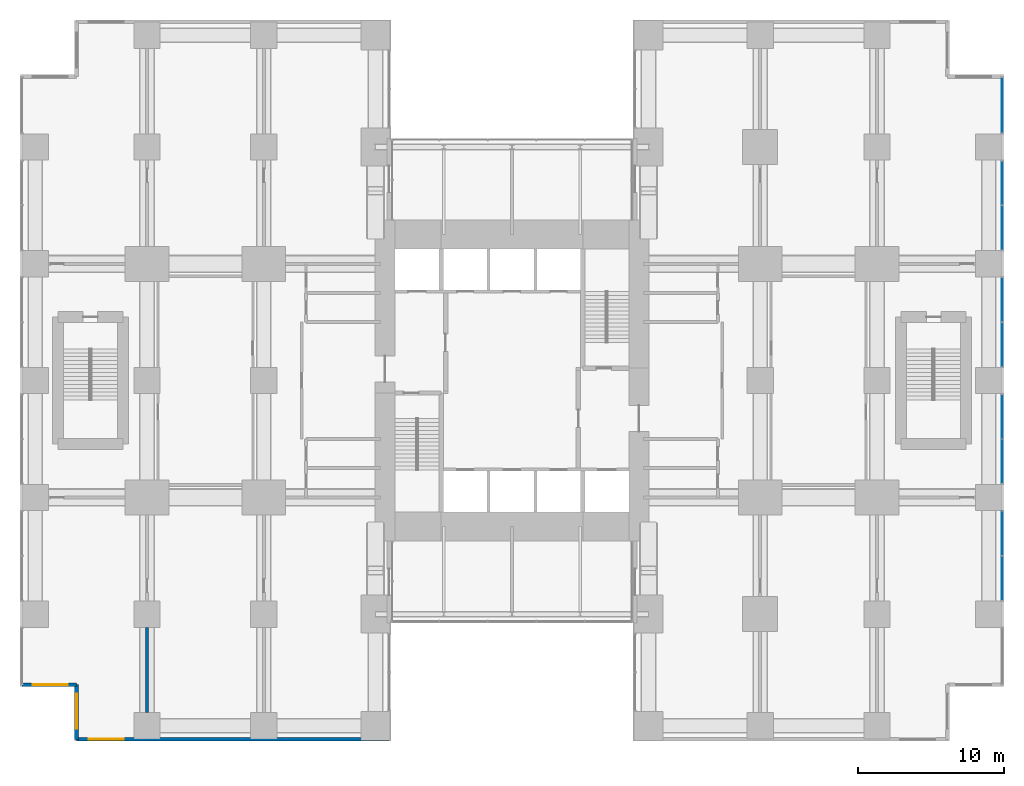
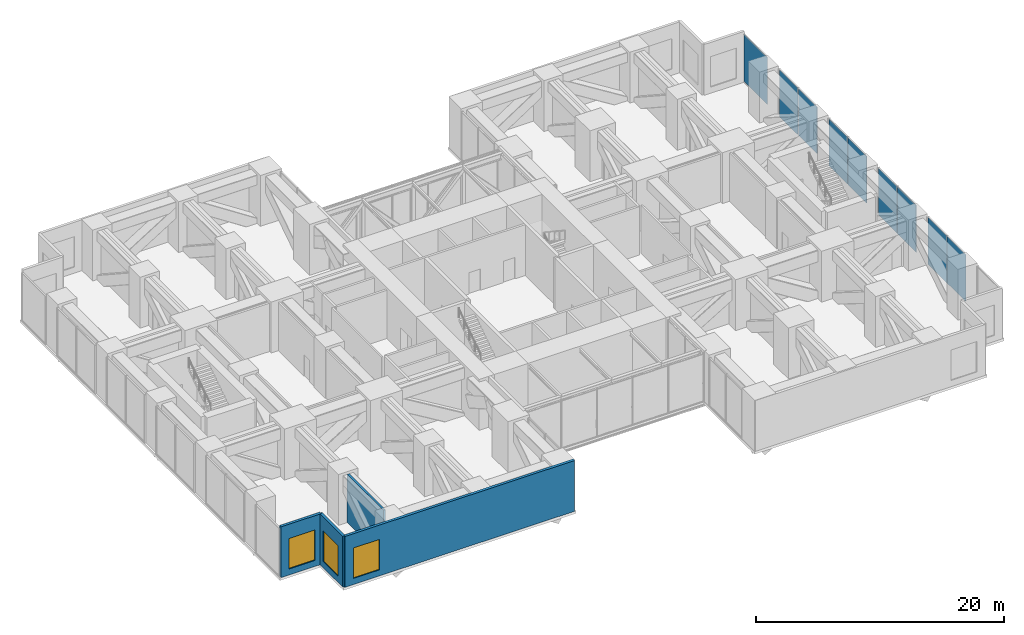
# One storey, part 14 of 19: 9 plates, 4 walls, 3 windows, 3 openings, 5 elements without a shape of their own.
"""IFC4 building model written with IfcOpenShell, lengths in metres."""

from ifc_helpers import new_model, si_unit, direction, frame, frame_2d, origin, origin_2d, place, context, subcontext, project, spatial, rectangle, extrude, material, layer, layer_set, type_object, element, fill, aggregate, save


model = new_model("IFC4")

# Units and contexts
model_context = context("Model", 3, precision=1e-05, world=origin(), true_north=direction((0.0, 1.0)))
body_context = subcontext(model_context, "Body", "Model", "MODEL_VIEW")
ifc_project = project(units=[si_unit("LENGTHUNIT", "METRE"), si_unit("AREAUNIT", "SQUARE_METRE"), si_unit("VOLUMEUNIT", "CUBIC_METRE"), si_unit("PLANEANGLEUNIT", "RADIAN"), si_unit("MASSUNIT", "GRAM", prefix="KILO")], contexts=[model_context])

# Site, building, storey
site_placement = place(None, origin())
site = spatial("IfcSite", under=ifc_project, at=site_placement, CompositionType="ELEMENT")
building_placement = place(site_placement, origin())
building = spatial("IfcBuilding", under=site, at=building_placement, Name="Cleftline Residences", CompositionType="ELEMENT")
storey_placement = place(building_placement, frame((0.0, 0.0, 177.199951171875)))
storey = spatial("IfcBuildingStorey", under=building, at=storey_placement, Name="L46", CompositionType="ELEMENT", Elevation=177.199951171875)

# Curtain wall, plate
ifc_material_1 = material(Name="Aluminium framed curtain wall", Category="aluminium")
ifc_layer_1 = layer(ifc_material_1, 0.199951171875)
ifc_layer_set_1 = layer_set([ifc_layer_1], Name="CW4 SKY LOUNGE GLAZING")
curtain_wall_type = type_object("IfcCurtainWallType", Name="CW4 SKY LOUNGE GLAZING", PredefinedType="NOTDEFINED", material=ifc_layer_set_1)
curtain_wall_1_placement = place(storey_placement, origin())
curtain_wall_1 = element("IfcCurtainWall", 1, at=curtain_wall_1_placement, inside=storey, type_object=curtain_wall_type, Name="Curtain wall CW4", PredefinedType="NOTDEFINED")
ifc_material_2 = material(Name="Laminated clear glass", Category="glass")
ifc_layer_2 = layer(ifc_material_2, 0.028076171875)
ifc_layer_set_2 = layer_set([ifc_layer_2], Name="CW4 GLASS PANEL")
plate_type_1 = type_object("IfcPlateType", Name="CW4 GLASS PANEL", PredefinedType="CURTAIN_PANEL", material=ifc_layer_set_2)
plate_1_placement = place(storey_placement, frame((66.574951171875, 42.862548828125, 0.06494140625), z_axis=(0.0, 0.0, 1.0), x_axis=(0.0, 1.0, 0.0)))
plate_1 = element("IfcPlate", 2, at=plate_1_placement, type_object=plate_type_1, Name="CW4 panel 1.1", PredefinedType="CURTAIN_PANEL", context=body_context, shape_type="SweptSolid", body=[
    extrude(rectangle(XDim=3.794921875, YDim=0.028076171875, at=origin_2d()), origin(), (0.0, 0.0, 1.0), 4.6201171875),
])
aggregate(curtain_wall_1, [plate_1])

# Curtain wall, plates
curtain_wall_2_placement = place(storey_placement, origin())
curtain_wall_2 = element("IfcCurtainWall", 3, at=curtain_wall_2_placement, inside=storey, type_object=curtain_wall_type, Name="Curtain wall CW4", PredefinedType="NOTDEFINED")
ifc_material_3 = material(Name="Insulated aluminium panel", Category="aluminium")
ifc_layer_3 = layer(ifc_material_3, 0.028076171875)
ifc_layer_set_3 = layer_set([ifc_layer_3], Name="CW4 INSULATED PANEL")
plate_type_2 = type_object("IfcPlateType", Name="CW4 INSULATED PANEL", PredefinedType="USERDEFINED", material=ifc_layer_set_3)
plate_2_placement = place(storey_placement, frame((66.574951171875, 10.46630859375, 0.06494140625), z_axis=(0.0, 0.0, 1.0), x_axis=(0.0, 1.0, 0.0)))
plate_2 = element("IfcPlate", 4, at=plate_2_placement, type_object=plate_type_2, Name="CW4 panel 1.1", ObjectType="INSULATED PANEL", PredefinedType="USERDEFINED", context=body_context, shape_type="SweptSolid", body=[
    extrude(rectangle(XDim=3.00244140625, YDim=0.028076171875, at=origin_2d()), origin(), (0.0, 0.0, 1.0), 4.6201171875),
])
plate_3_placement = place(storey_placement, frame((66.574951171875, 13.53369140625, 0.06494140625), z_axis=(0.0, 0.0, 1.0), x_axis=(0.0, 1.0, 0.0)))
plate_3 = element("IfcPlate", 5, at=plate_3_placement, type_object=plate_type_2, Name="CW4 panel 2.1", ObjectType="INSULATED PANEL", PredefinedType="USERDEFINED", context=body_context, shape_type="SweptSolid", body=[
    extrude(rectangle(XDim=3.00244140625, YDim=0.028076171875, at=origin_2d()), origin(), (0.0, 0.0, 1.0), 4.6201171875),
])
aggregate(curtain_wall_2, [plate_2, plate_3])

curtain_wall_3_placement = place(storey_placement, origin())
curtain_wall_3 = element("IfcCurtainWall", 6, at=curtain_wall_3_placement, inside=storey, type_object=curtain_wall_type, Name="Curtain wall CW4", PredefinedType="NOTDEFINED")
plate_4_placement = place(storey_placement, frame((66.574951171875, 18.46630859375, 0.06494140625), z_axis=(0.0, 0.0, 1.0), x_axis=(0.0, 1.0, 0.0)))
plate_4 = element("IfcPlate", 7, at=plate_4_placement, type_object=plate_type_2, Name="CW4 panel 1.1", ObjectType="INSULATED PANEL", PredefinedType="USERDEFINED", context=body_context, shape_type="SweptSolid", body=[
    extrude(rectangle(XDim=3.00244140625, YDim=0.028076171875, at=origin_2d()), origin(), (0.0, 0.0, 1.0), 4.6201171875),
])
plate_5_placement = place(storey_placement, frame((66.574951171875, 21.53369140625, 0.06494140625), z_axis=(0.0, 0.0, 1.0), x_axis=(0.0, 1.0, 0.0)))
plate_5 = element("IfcPlate", 8, at=plate_5_placement, type_object=plate_type_2, Name="CW4 panel 2.1", ObjectType="INSULATED PANEL", PredefinedType="USERDEFINED", context=body_context, shape_type="SweptSolid", body=[
    extrude(rectangle(XDim=3.00244140625, YDim=0.028076171875, at=origin_2d()), origin(), (0.0, 0.0, 1.0), 4.6201171875),
])
aggregate(curtain_wall_3, [plate_4, plate_5])

curtain_wall_4_placement = place(storey_placement, origin())
curtain_wall_4 = element("IfcCurtainWall", 9, at=curtain_wall_4_placement, inside=storey, type_object=curtain_wall_type, Name="Curtain wall CW4", PredefinedType="NOTDEFINED")
plate_6_placement = place(storey_placement, frame((66.574951171875, 26.46630859375, 0.06494140625), z_axis=(0.0, 0.0, 1.0), x_axis=(0.0, 1.0, 0.0)))
plate_6 = element("IfcPlate", 10, at=plate_6_placement, type_object=plate_type_2, Name="CW4 panel 1.1", ObjectType="INSULATED PANEL", PredefinedType="USERDEFINED", context=body_context, shape_type="SweptSolid", body=[
    extrude(rectangle(XDim=3.00244140625, YDim=0.028076171875, at=origin_2d()), origin(), (0.0, 0.0, 1.0), 4.6201171875),
])
plate_7_placement = place(storey_placement, frame((66.574951171875, 29.53369140625, 0.06494140625), z_axis=(0.0, 0.0, 1.0), x_axis=(0.0, 1.0, 0.0)))
plate_7 = element("IfcPlate", 11, at=plate_7_placement, type_object=plate_type_2, Name="CW4 panel 2.1", ObjectType="INSULATED PANEL", PredefinedType="USERDEFINED", context=body_context, shape_type="SweptSolid", body=[
    extrude(rectangle(XDim=3.00244140625, YDim=0.028076171875, at=origin_2d()), origin(), (0.0, 0.0, 1.0), 4.6201171875),
])
aggregate(curtain_wall_4, [plate_6, plate_7])

curtain_wall_5_placement = place(storey_placement, origin())
curtain_wall_5 = element("IfcCurtainWall", 12, at=curtain_wall_5_placement, inside=storey, type_object=curtain_wall_type, Name="Curtain wall CW4", PredefinedType="NOTDEFINED")
plate_8_placement = place(storey_placement, frame((66.574951171875, 34.46630859375, 0.06494140625), z_axis=(0.0, 0.0, 1.0), x_axis=(0.0, 1.0, 0.0)))
plate_8 = element("IfcPlate", 13, at=plate_8_placement, type_object=plate_type_2, Name="CW4 panel 1.1", ObjectType="INSULATED PANEL", PredefinedType="USERDEFINED", context=body_context, shape_type="SweptSolid", body=[
    extrude(rectangle(XDim=3.00244140625, YDim=0.028076171875, at=origin_2d()), origin(), (0.0, 0.0, 1.0), 4.6201171875),
])
plate_9_placement = place(storey_placement, frame((66.574951171875, 37.53369140625, 0.06494140625), z_axis=(0.0, 0.0, 1.0), x_axis=(0.0, 1.0, 0.0)))
plate_9 = element("IfcPlate", 14, at=plate_9_placement, type_object=plate_type_2, Name="CW4 panel 2.1", ObjectType="INSULATED PANEL", PredefinedType="USERDEFINED", context=body_context, shape_type="SweptSolid", body=[
    extrude(rectangle(XDim=3.00244140625, YDim=0.028076171875, at=origin_2d()), origin(), (0.0, 0.0, 1.0), 4.6201171875),
])
aggregate(curtain_wall_5, [plate_8, plate_9])

# Wall, opening, window
ifc_material_4 = material(Name="Rendered reinforced concrete blockwork", Category="masonry")
ifc_layer_4 = layer(ifc_material_4, 0.25)
ifc_layer_set_4 = layer_set([ifc_layer_4], Name="EXTERNAL WALL 250")
wall_type_1 = type_object("IfcWallType", Name="EXTERNAL WALL 250", PredefinedType="SOLIDWALL", material=ifc_layer_set_4)
wall_1_placement = place(storey_placement, frame((-0.574951171875, 3.175048828125, 0.0), z_axis=(0.0, 0.0, 1.0), x_axis=(1.0, 0.0, 0.0)))
wall_1 = element("IfcWall", 15, at=wall_1_placement, inside=storey, type_object=wall_type_1, Name="External wall", PredefinedType="SOLIDWALL", context=body_context, shape_type="SweptSolid", body=[
    extrude(rectangle(XDim=3.75, YDim=0.25, at=frame_2d((1.875, 0.0))), origin(), (0.0, 0.0, 1.0), 5.0),
])
opening_1_placement = place(wall_1_placement, frame((0.737548828125, 0.0, 0.60009765625)))
opening_1 = element("IfcOpeningElement", 16, at=opening_1_placement, cuts=wall_1, Name="Opening W3", PredefinedType="OPENING", context=body_context, shape_type="SweptSolid", body=[
    extrude(rectangle(XDim=2.39990234375, YDim=3.0, at=frame_2d((1.199951171875, 1.5))), frame((0.0, 0.135009765625, 0.0), z_axis=(0.0, -1.0, 0.0), x_axis=(1.0, 0.0, 0.0)), (0.0, 0.0, 1.0), 0.27001953125),
])
ifc_material_5 = material(Name="Aluminium frame, clear double glazing", Category="aluminium")
window_type = type_object("IfcWindowType", Name="WINDOW 2400X3000", PartitioningType="DOUBLE_PANEL_VERTICAL", PredefinedType="WINDOW", material=ifc_material_5)
window_1_placement = place(opening_1_placement, origin())
window_1 = element("IfcWindow", 17, at=window_1_placement, inside=storey, type_object=window_type, Name="Window", OverallHeight=3.0, OverallWidth=2.39990234375, PartitioningType="SINGLE_PANEL", PredefinedType="WINDOW", context=body_context, shape_type="SweptSolid", body=[
    extrude(rectangle(XDim=2.39990234375, YDim=3.0, at=frame_2d((1.199951171875, 1.5))), frame((0.0, 0.030029296875, 0.0), z_axis=(0.0, -1.0, 0.0), x_axis=(1.0, 0.0, 0.0)), (0.0, 0.0, 1.0), 0.06005859375),
])
fill(opening_1, window_1)

wall_2_placement = place(storey_placement, frame((3.175048828125, 3.175048828125, 0.0), z_axis=(0.0, 0.0, 1.0), x_axis=(0.0, -1.0, 0.0)))
wall_2 = element("IfcWall", 18, at=wall_2_placement, inside=storey, type_object=wall_type_1, Name="External wall", PredefinedType="SOLIDWALL", context=body_context, shape_type="SweptSolid", body=[
    extrude(rectangle(XDim=3.75, YDim=0.25, at=frame_2d((1.875, 0.0))), origin(), (0.0, 0.0, 1.0), 5.0),
])
opening_2_placement = place(wall_2_placement, frame((0.612548828125, 0.0, 0.60009765625)))
opening_2 = element("IfcOpeningElement", 19, at=opening_2_placement, cuts=wall_2, Name="Opening W3", PredefinedType="OPENING", context=body_context, shape_type="SweptSolid", body=[
    extrude(rectangle(XDim=2.39990234375, YDim=3.0, at=frame_2d((1.199951171875, 1.5))), frame((0.0, 0.135009765625, 0.0), z_axis=(0.0, -1.0, 0.0), x_axis=(1.0, 0.0, 0.0)), (0.0, 0.0, 1.0), 0.27001953125),
])
window_2_placement = place(opening_2_placement, origin())
window_2 = element("IfcWindow", 20, at=window_2_placement, inside=storey, type_object=window_type, Name="Window", OverallHeight=3.0, OverallWidth=2.39990234375, PartitioningType="SINGLE_PANEL", PredefinedType="WINDOW", context=body_context, shape_type="SweptSolid", body=[
    extrude(rectangle(XDim=2.39990234375, YDim=3.0, at=frame_2d((1.199951171875, 1.5))), frame((0.0, 0.030029296875, 0.0), z_axis=(0.0, -1.0, 0.0), x_axis=(1.0, 0.0, 0.0)), (0.0, 0.0, 1.0), 0.06005859375),
])
fill(opening_2, window_2)

wall_3_placement = place(storey_placement, frame((3.175048828125, -0.574951171875, 0.0), z_axis=(0.0, 0.0, 1.0), x_axis=(1.0, 0.0, 0.0)))
wall_3 = element("IfcWall", 21, at=wall_3_placement, inside=storey, type_object=wall_type_1, Name="External wall", PredefinedType="SOLIDWALL", context=body_context, shape_type="SweptSolid", body=[
    extrude(rectangle(XDim=21.39990234375, YDim=0.25, at=frame_2d((10.699951171875, 0.0))), origin(), (0.0, 0.0, 1.0), 5.0),
])
opening_3_placement = place(wall_3_placement, frame((0.824951171875, 0.0, 0.60009765625)))
opening_3 = element("IfcOpeningElement", 22, at=opening_3_placement, cuts=wall_3, Name="Opening W3", PredefinedType="OPENING", context=body_context, shape_type="SweptSolid", body=[
    extrude(rectangle(XDim=2.39990234375, YDim=3.0, at=frame_2d((1.199951171875, 1.5))), frame((0.0, 0.135009765625, 0.0), z_axis=(0.0, -1.0, 0.0), x_axis=(1.0, 0.0, 0.0)), (0.0, 0.0, 1.0), 0.27001953125),
])
window_3_placement = place(opening_3_placement, origin())
window_3 = element("IfcWindow", 23, at=window_3_placement, inside=storey, type_object=window_type, Name="Window", OverallHeight=3.0, OverallWidth=2.39990234375, PartitioningType="SINGLE_PANEL", PredefinedType="WINDOW", context=body_context, shape_type="SweptSolid", body=[
    extrude(rectangle(XDim=2.39990234375, YDim=3.0, at=frame_2d((1.199951171875, 1.5))), frame((0.0, 0.030029296875, 0.0), z_axis=(0.0, -1.0, 0.0), x_axis=(1.0, 0.0, 0.0)), (0.0, 0.0, 1.0), 0.06005859375),
])
fill(opening_3, window_3)

# Wall
ifc_material_6 = material(Name="Concrete blockwork, fire rated", Category="masonry")
ifc_layer_5 = layer(ifc_material_6, 0.199951171875)
ifc_layer_set_5 = layer_set([ifc_layer_5], Name="FIRE WALL 200")
wall_type_2 = type_object("IfcWallType", Name="FIRE WALL 200", PredefinedType="PARTITIONING", material=ifc_layer_set_5)
wall_4_placement = place(storey_placement, frame((8.0, 1.25, 0.0), z_axis=(0.0, 0.0, 1.0), x_axis=(0.0, 1.0, 0.0)))
element("IfcWall", 24, at=wall_4_placement, inside=storey, type_object=wall_type_2, Name="Fire separating wall", PredefinedType="PARTITIONING", context=body_context, shape_type="SweptSolid", body=[
    extrude(rectangle(XDim=5.85009765625, YDim=0.199951171875, at=frame_2d((2.925048828125, 0.0))), origin(), (0.0, 0.0, 1.0), 4.75),
])

save(model, "model.ifc")
